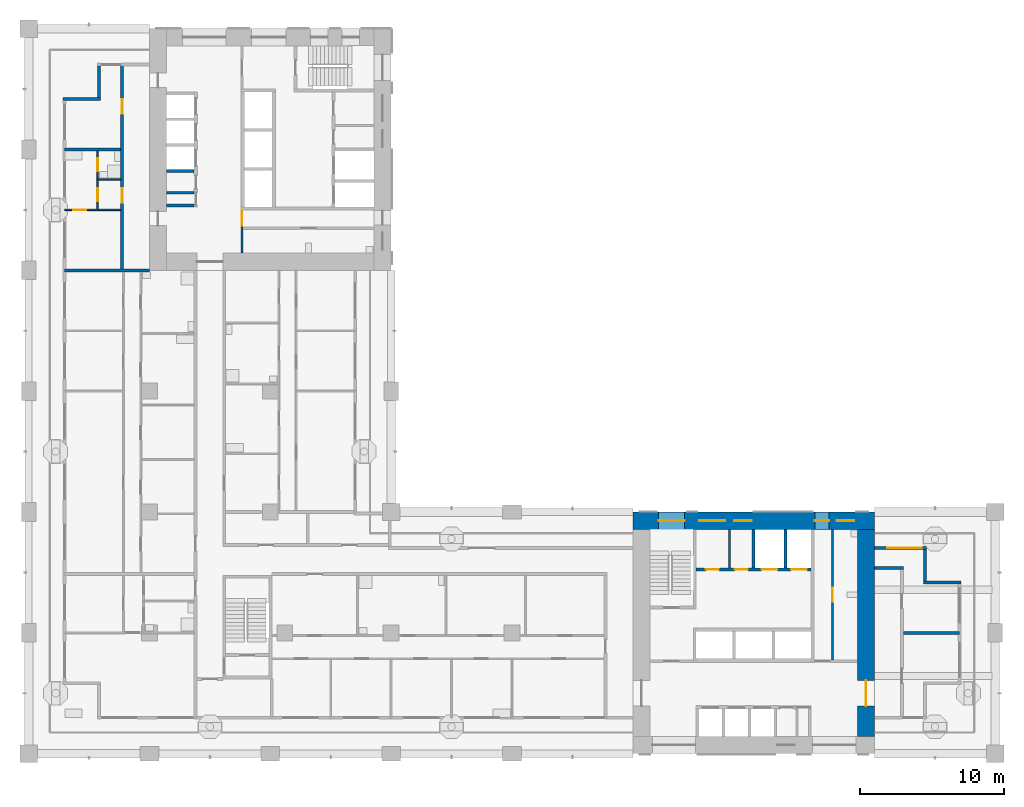
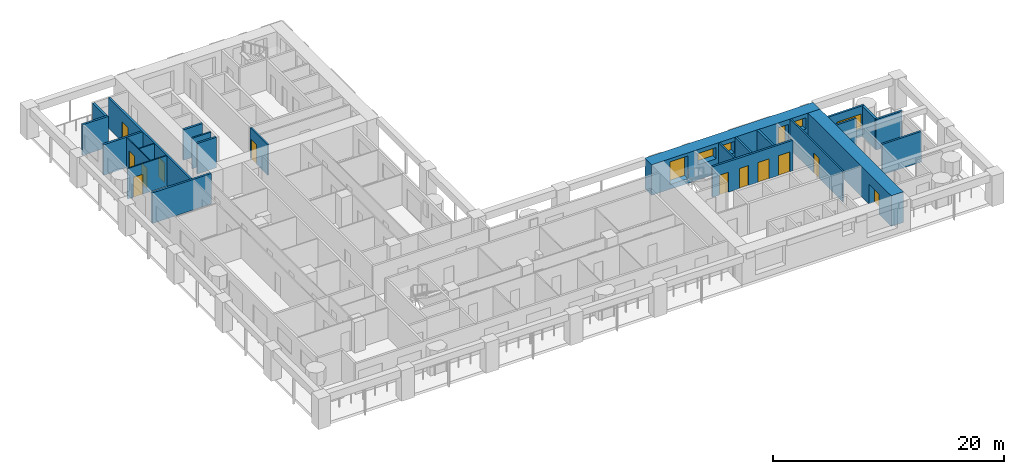
# One storey, part 6 of 18: 24 walls, 12 doors, 6 windows, 18 openings.
"""IFC4 building model written with IfcOpenShell, lengths in metres."""

from ifc_helpers import new_model, si_unit, direction, frame, frame_2d, origin, place, context, subcontext, project, spatial, rectangle, extrude, material, layer, layer_set, type_object, element, fill, save


model = new_model("IFC4")

# Units and contexts
model_context = context("Model", 3, precision=1e-05, world=origin(), true_north=direction((0.0, 1.0)))
body_context = subcontext(model_context, "Body", "Model", "MODEL_VIEW")
ifc_project = project(units=[si_unit("LENGTHUNIT", "METRE"), si_unit("AREAUNIT", "SQUARE_METRE"), si_unit("VOLUMEUNIT", "CUBIC_METRE"), si_unit("PLANEANGLEUNIT", "RADIAN"), si_unit("MASSUNIT", "GRAM", prefix="KILO")], contexts=[model_context])

# Site, building, storey
site_placement = place(None, origin())
site = spatial("IfcSite", under=ifc_project, at=site_placement, CompositionType="ELEMENT")
building_placement = place(site_placement, origin())
building = spatial("IfcBuilding", under=site, at=building_placement, Name="Vermilion Gate Residences", CompositionType="ELEMENT")
storey_placement = place(building_placement, frame((0.0, 0.0, 102.199951171875)))
storey = spatial("IfcBuildingStorey", under=building, at=storey_placement, Name="L25", CompositionType="ELEMENT", Elevation=102.199951171875)

# Wall
ifc_material_1 = material(Name="Masonry blockwork", Category="masonry")
ifc_layer_1 = layer(ifc_material_1, 0.14990234375)
ifc_layer_set_1 = layer_set([ifc_layer_1], Name="BLOCKWORK PARTITION 150 EI 120")
wall_type_1 = type_object("IfcWallType", Name="BLOCKWORK PARTITION 150 EI 120", PredefinedType="PARTITIONING", material=ifc_layer_set_1)
wall_1_placement = place(storey_placement, frame((48.72509765625, 21.300048828125, 0.0), z_axis=(0.0, 0.0, 1.0), x_axis=(0.0, 1.0, 0.0)))
element("IfcWall", 1, at=wall_1_placement, inside=storey, type_object=wall_type_1, Name="Core room partition A25-NR-P0", PredefinedType="PARTITIONING", context=body_context, shape_type="SweptSolid", body=[
    extrude(rectangle(XDim=2.699951171875, YDim=0.14990234375, at=frame_2d((1.35009765625, 0.0))), origin(), (0.0, 0.0, 1.0), 3.219970703125),
])

# Wall, opening, door
wall_2_placement = place(storey_placement, frame((55.875, 14.89990234375, 0.0), z_axis=(0.0, 0.0, 1.0), x_axis=(0.0, 1.0, 0.0)))
wall_2 = element("IfcWall", 2, at=wall_2_placement, inside=storey, type_object=wall_type_1, Name="Core room partition A25-ES-W", PredefinedType="PARTITIONING", context=body_context, shape_type="SweptSolid", body=[
    extrude(rectangle(XDim=9.10009765625, YDim=0.14990234375, at=frame_2d((4.550048828125, 0.0))), origin(), (0.0, 0.0, 1.0), 3.219970703125),
])
opening_1_placement = place(wall_2_placement, frame((4.050048828125, 0.0, 0.0)))
opening_1 = element("IfcOpeningElement", 3, at=opening_1_placement, cuts=wall_2, Name="Opening DK25015", PredefinedType="OPENING", context=body_context, shape_type="SweptSolid", body=[
    extrude(rectangle(XDim=1.0, YDim=2.10009765625, at=frame_2d((0.5, 1.050048828125))), frame((0.0, 0.0849609375, 0.0), z_axis=(0.0, -1.0, 0.0), x_axis=(1.0, 0.0, 0.0)), (0.0, 0.0, 1.0), 0.169921875),
])
ifc_material_2 = material(Name="Steel", Category="steel")
door_type_1 = type_object("IfcDoorType", Name="FIRE DOOR FD60 1000 X 2100", OperationType="SINGLE_SWING_LEFT", PredefinedType="DOOR", material=ifc_material_2)
door_1_placement = place(opening_1_placement, frame((1.0, 0.0, 0.0), z_axis=(0.0, 0.0, 1.0), x_axis=(-1.0, 0.0, 0.0)))
door_1 = element("IfcDoor", 4, at=door_1_placement, inside=storey, type_object=door_type_1, Name="Accessible WC A25", OperationType="SINGLE_SWING_RIGHT", OverallHeight=2.10009765625, OverallWidth=1.0, PredefinedType="DOOR", context=body_context, shape_type="SweptSolid", body=[
    extrude(rectangle(XDim=1.0, YDim=2.10009765625, at=frame_2d((0.5, 1.050048828125))), frame((0.0, 0.02490234375, 0.0), z_axis=(0.0, -1.0, 0.0), x_axis=(1.0, 0.0, 0.0)), (0.0, 0.0, 1.0), 0.050048828125),
])
fill(opening_1, door_1)

# Wall
wall_3_placement = place(storey_placement, frame((9.60009765625, 47.392578125, 0.0), z_axis=(0.0, 0.0, 1.0), x_axis=(1.0, 0.0, 0.0)))
element("IfcWall", 5, at=wall_3_placement, inside=storey, type_object=wall_type_1, Name="Core room partition B25-SR-P0", PredefinedType="PARTITIONING", context=body_context, shape_type="SweptSolid", body=[
    extrude(rectangle(XDim=1.89990234375, YDim=0.14990234375, at=frame_2d((0.949951171875, 0.0))), origin(), (0.0, 0.0, 1.0), 3.219970703125),
])

# Wall, opening, door
wall_4_placement = place(storey_placement, frame((14.824951171875, 46.199951171875, 0.0), z_axis=(0.0, 0.0, 1.0), x_axis=(0.0, -1.0, 0.0)))
wall_4 = element("IfcWall", 6, at=wall_4_placement, inside=storey, type_object=wall_type_1, Name="Core room partition B25-ES-S", PredefinedType="PARTITIONING", context=body_context, shape_type="SweptSolid", body=[
    extrude(rectangle(XDim=3.0, YDim=0.14990234375, at=frame_2d((1.5, 0.0))), origin(), (0.0, 0.0, 1.0), 3.219970703125),
])
opening_2_placement = place(wall_4_placement, frame((0.10009765625, 0.0, 0.0)))
opening_2 = element("IfcOpeningElement", 7, at=opening_2_placement, cuts=wall_4, Name="Opening DK25115", PredefinedType="OPENING", context=body_context, shape_type="SweptSolid", body=[
    extrude(rectangle(XDim=1.0, YDim=2.10009765625, at=frame_2d((0.5, 1.050048828125))), frame((0.0, 0.0849609375, 0.0), z_axis=(0.0, -1.0, 0.0), x_axis=(1.0, 0.0, 0.0)), (0.0, 0.0, 1.0), 0.169921875),
])
door_2_placement = place(opening_2_placement, frame((1.0, 0.0, 0.0), z_axis=(0.0, 0.0, 1.0), x_axis=(-1.0, 0.0, 0.0)))
door_2 = element("IfcDoor", 8, at=door_2_placement, inside=storey, type_object=door_type_1, Name="Service corridor door B25", OperationType="SINGLE_SWING_LEFT", OverallHeight=2.10009765625, OverallWidth=1.0, PredefinedType="DOOR", context=body_context, shape_type="SweptSolid", body=[
    extrude(rectangle(XDim=1.0, YDim=2.10009765625, at=frame_2d((0.5, 1.050048828125))), frame((0.0, 0.02490234375, 0.0), z_axis=(0.0, -1.0, 0.0), x_axis=(1.0, 0.0, 0.0)), (0.0, 0.0, 1.0), 0.050048828125),
])
fill(opening_2, door_2)

# Walls
ifc_material_3 = material(Name="Insulated steel stud wall with terracotta rainscreen", Category="masonry")
ifc_layer_2 = layer(ifc_material_3, 0.199951171875)
ifc_layer_set_2 = layer_set([ifc_layer_2], Name="EXTERNAL WALL 200 TERRACOTTA RAINSCREEN")
wall_type_2 = type_object("IfcWallType", Name="EXTERNAL WALL 200 TERRACOTTA RAINSCREEN", PredefinedType="SOLIDWALL", material=ifc_layer_set_2)
wall_5_placement = place(storey_placement, frame((4.89990234375, 56.199951171875, 0.0), z_axis=(0.0, 0.0, 1.0), x_axis=(0.0, -1.0, 0.0)))
element("IfcWall", 9, at=wall_5_placement, inside=storey, type_object=wall_type_2, Name="External wall", PredefinedType="SOLIDWALL", context=body_context, shape_type="SweptSolid", body=[
    extrude(rectangle(XDim=2.199951171875, YDim=0.199951171875, at=frame_2d((1.10009765625, 0.0))), origin(), (0.0, 0.0, 1.0), 3.219970703125),
])
for number, where, z_axis, x_axis, name in (
    (10, (5.0, 53.89990234375, 0.0), (0.0, 0.0, 1.0), (-1.0, 0.0, 0.0), "External wall"),
    (11, (64.800048828125, 20.300048828125, 0.0), (0.0, 0.0, 1.0), (-1.0, 0.0, 0.0), "External wall"),
):
    element("IfcWall", number, at=place(storey_placement, frame(where, z_axis=z_axis, x_axis=x_axis)), inside=storey, type_object=wall_type_2, Name=name, PredefinedType="SOLIDWALL", context=body_context, shape_type="SweptSolid", body=[
        extrude(rectangle(XDim=2.60009765625, YDim=0.199951171875, at=frame_2d((1.300048828125, 0.0))), origin(), (0.0, 0.0, 1.0), 3.219970703125),
    ])
wall_6_placement = place(storey_placement, frame((62.300048828125, 20.39990234375, 0.0), z_axis=(0.0, 0.0, 1.0), x_axis=(0.0, 1.0, 0.0)))
element("IfcWall", 12, at=wall_6_placement, inside=storey, type_object=wall_type_2, Name="External wall", PredefinedType="SOLIDWALL", context=body_context, shape_type="SweptSolid", body=[
    extrude(rectangle(XDim=2.2001953125, YDim=0.199951171875, at=frame_2d((1.10009765625, 0.0))), origin(), (0.0, 0.0, 1.0), 3.219970703125),
])

# Wall, opening, window
wall_7_placement = place(storey_placement, frame((62.39990234375, 22.699951171875, 0.0), z_axis=(0.0, 0.0, 1.0), x_axis=(-1.0, 0.0, 0.0)))
wall_7 = element("IfcWall", 13, at=wall_7_placement, inside=storey, type_object=wall_type_2, Name="External wall", PredefinedType="SOLIDWALL", context=body_context, shape_type="SweptSolid", body=[
    extrude(rectangle(XDim=3.599853515625, YDim=0.199951171875, at=frame_2d((1.7998046875, 0.0))), origin(), (0.0, 0.0, 1.0), 3.219970703125),
])
opening_3_placement = place(wall_7_placement, frame((0.300048828125, 0.0, 0.89990234375)))
opening_3 = element("IfcOpeningElement", 14, at=opening_3_placement, cuts=wall_7, Name="Opening WE25023", PredefinedType="OPENING", context=body_context, shape_type="SweptSolid", body=[
    extrude(rectangle(XDim=2.39990234375, YDim=1.5, at=frame_2d((1.199951171875, 0.75))), frame((0.0, 0.10986328125, 0.0), z_axis=(0.0, -1.0, 0.0), x_axis=(1.0, 0.0, 0.0)), (0.0, 0.0, 1.0), 0.219970703125),
])
ifc_material_4 = material(Name="Aluminium and clear glass", Category="aluminium")
window_type_1 = type_object("IfcWindowType", Name="WINDOW 2400 X 1500", PartitioningType="SINGLE_PANEL", PredefinedType="WINDOW", material=ifc_material_4)
window_1_placement = place(opening_3_placement, origin())
window_1 = element("IfcWindow", 15, at=window_1_placement, inside=storey, type_object=window_type_1, Name="Window", OverallHeight=1.5, OverallWidth=2.39990234375, PartitioningType="SINGLE_PANEL", PredefinedType="WINDOW", context=body_context, shape_type="SweptSolid", body=[
    extrude(rectangle(XDim=2.39990234375, YDim=1.5, at=frame_2d((1.199951171875, 0.75))), frame((0.0, 0.030029296875, 0.0), z_axis=(0.0, -1.0, 0.0), x_axis=(1.0, 0.0, 0.0)), (0.0, 0.0, 1.0), 0.06005859375),
])
fill(opening_3, window_1)

# Wall, opening, door
ifc_material_5 = material(Name="Plasterboard on steel studs", Category="steel")
ifc_layer_3 = layer(ifc_material_5, 0.10009765625)
ifc_layer_set_3 = layer_set([ifc_layer_3], Name="PARTITION 100")
wall_type_3 = type_object("IfcWallType", Name="PARTITION 100", PredefinedType="PARTITIONING", material=ifc_layer_set_3)
wall_8_placement = place(storey_placement, frame((2.5, 46.199951171875, 0.0), z_axis=(0.0, 0.0, 1.0), x_axis=(1.0, 0.0, 0.0)))
wall_8 = element("IfcWall", 16, at=wall_8_placement, inside=storey, type_object=wall_type_3, Name="Partition", PredefinedType="PARTITIONING", context=body_context, shape_type="SweptSolid", body=[
    extrude(rectangle(XDim=3.89990234375, YDim=0.10009765625, at=frame_2d((1.949951171875, 0.0))), origin(), (0.0, 0.0, 1.0), 3.219970703125),
])
opening_4_placement = place(wall_8_placement, frame((0.60009765625, 0.0, 0.0)))
opening_4 = element("IfcOpeningElement", 17, at=opening_4_placement, cuts=wall_8, Name="Opening DA25015", PredefinedType="OPENING", context=body_context, shape_type="SweptSolid", body=[
    extrude(rectangle(XDim=0.89990234375, YDim=2.10009765625, at=frame_2d((0.449951171875, 1.050048828125))), frame((0.0, 0.06005859375, 0.0), z_axis=(0.0, -1.0, 0.0), x_axis=(1.0, 0.0, 0.0)), (0.0, 0.0, 1.0), 0.1201171875),
])
ifc_material_6 = material(Name="Timber", Category="wood")
door_type_2 = type_object("IfcDoorType", Name="INTERIOR DOOR 900 X 2100", OperationType="SINGLE_SWING_LEFT", PredefinedType="DOOR", material=ifc_material_6)
door_3_placement = place(opening_4_placement, origin())
door_3 = element("IfcDoor", 18, at=door_3_placement, inside=storey, type_object=door_type_2, Name="Interior door", OperationType="SINGLE_SWING_LEFT", OverallHeight=2.10009765625, OverallWidth=0.89990234375, PredefinedType="DOOR", context=body_context, shape_type="SweptSolid", body=[
    extrude(rectangle(XDim=0.89990234375, YDim=2.10009765625, at=frame_2d((0.449951171875, 1.050048828125))), frame((0.0, 0.02490234375, 0.0), z_axis=(0.0, -1.0, 0.0), x_axis=(1.0, 0.0, 0.0)), (0.0, 0.0, 1.0), 0.050048828125),
])
fill(opening_4, door_3)

# Wall
wall_9_placement = place(storey_placement, frame((4.85009765625, 48.300048828125, 0.0), z_axis=(0.0, 0.0, 1.0), x_axis=(1.0, 0.0, 0.0)))
element("IfcWall", 19, at=wall_9_placement, inside=storey, type_object=wall_type_3, Name="Partition", PredefinedType="PARTITIONING", context=body_context, shape_type="SweptSolid", body=[
    extrude(rectangle(XDim=1.5498046875, YDim=0.10009765625, at=frame_2d((0.77490234375, 0.0))), origin(), (0.0, 0.0, 1.0), 3.219970703125),
])

# Wall, openings, doors
wall_10_placement = place(storey_placement, frame((4.800048828125, 46.25, 0.0), z_axis=(0.0, 0.0, 1.0), x_axis=(0.0, 1.0, 0.0)))
wall_10 = element("IfcWall", 20, at=wall_10_placement, inside=storey, type_object=wall_type_3, Name="Partition", PredefinedType="PARTITIONING", context=body_context, shape_type="SweptSolid", body=[
    extrude(rectangle(XDim=4.050048828125, YDim=0.10009765625, at=frame_2d((2.02490234375, 0.0))), origin(), (0.0, 0.0, 1.0), 3.219970703125),
])
opening_5_placement = place(wall_10_placement, frame((0.550048828125, 0.0, 0.0)))
opening_5 = element("IfcOpeningElement", 21, at=opening_5_placement, cuts=wall_10, Name="Opening DA25016", PredefinedType="OPENING", context=body_context, shape_type="SweptSolid", body=[
    extrude(rectangle(XDim=0.89990234375, YDim=2.10009765625, at=frame_2d((0.449951171875, 1.050048828125))), frame((0.0, 0.06005859375, 0.0), z_axis=(0.0, -1.0, 0.0), x_axis=(1.0, 0.0, 0.0)), (0.0, 0.0, 1.0), 0.1201171875),
])
opening_6_placement = place(wall_10_placement, frame((2.64990234375, 0.0, 0.0)))
opening_6 = element("IfcOpeningElement", 22, at=opening_6_placement, cuts=wall_10, Name="Opening DA25017", PredefinedType="OPENING", context=body_context, shape_type="SweptSolid", body=[
    extrude(rectangle(XDim=0.89990234375, YDim=2.10009765625, at=frame_2d((0.449951171875, 1.050048828125))), frame((0.0, 0.06005859375, 0.0), z_axis=(0.0, -1.0, 0.0), x_axis=(1.0, 0.0, 0.0)), (0.0, 0.0, 1.0), 0.1201171875),
])
door_4_placement = place(opening_5_placement, origin())
door_4 = element("IfcDoor", 23, at=door_4_placement, inside=storey, type_object=door_type_2, Name="Interior door", OperationType="SINGLE_SWING_LEFT", OverallHeight=2.10009765625, OverallWidth=0.89990234375, PredefinedType="DOOR", context=body_context, shape_type="SweptSolid", body=[
    extrude(rectangle(XDim=0.89990234375, YDim=2.10009765625, at=frame_2d((0.449951171875, 1.050048828125))), frame((0.0, 0.02490234375, 0.0), z_axis=(0.0, -1.0, 0.0), x_axis=(1.0, 0.0, 0.0)), (0.0, 0.0, 1.0), 0.050048828125),
])
fill(opening_5, door_4)
door_5_placement = place(opening_6_placement, frame((0.89990234375, 0.0, 0.0), z_axis=(0.0, 0.0, 1.0), x_axis=(-1.0, 0.0, 0.0)))
door_5 = element("IfcDoor", 24, at=door_5_placement, inside=storey, type_object=door_type_2, Name="Interior door", OperationType="SINGLE_SWING_RIGHT", OverallHeight=2.10009765625, OverallWidth=0.89990234375, PredefinedType="DOOR", context=body_context, shape_type="SweptSolid", body=[
    extrude(rectangle(XDim=0.89990234375, YDim=2.10009765625, at=frame_2d((0.449951171875, 1.050048828125))), frame((0.0, 0.02490234375, 0.0), z_axis=(0.0, -1.0, 0.0), x_axis=(1.0, 0.0, 0.0)), (0.0, 0.0, 1.0), 0.050048828125),
])
fill(opening_6, door_5)

# Walls
ifc_material_7 = material(Name="Fire-rated plasterboard on steel studs", Category="steel")
ifc_layer_4 = layer(ifc_material_7, 0.199951171875)
ifc_layer_set_4 = layer_set([ifc_layer_4], Name="PARTY WALL 200 EI 120")
wall_type_4 = type_object("IfcWallType", Name="PARTY WALL 200 EI 120", PredefinedType="PARTITIONING", material=ifc_layer_set_4)
wall_11_placement = place(storey_placement, frame((60.800048828125, 16.800048828125, 0.0), z_axis=(0.0, 0.0, 1.0), x_axis=(1.0, 0.0, 0.0)))
element("IfcWall", 25, at=wall_11_placement, inside=storey, type_object=wall_type_4, Name="Party and corridor wall", PredefinedType="PARTITIONING", context=body_context, shape_type="SweptSolid", body=[
    extrude(rectangle(XDim=3.89990234375, YDim=0.199951171875, at=frame_2d((1.949951171875, 0.0))), origin(), (0.0, 0.0, 1.0), 3.219970703125),
])
wall_12_placement = place(storey_placement, frame((58.800048828125, 21.300048828125, 0.0), z_axis=(0.0, 0.0, 1.0), x_axis=(1.0, 0.0, 0.0)))
element("IfcWall", 26, at=wall_12_placement, inside=storey, type_object=wall_type_4, Name="Party and corridor wall", PredefinedType="PARTITIONING", context=body_context, shape_type="SweptSolid", body=[
    extrude(rectangle(XDim=2.0, YDim=0.199951171875, at=frame_2d((1.0, 0.0))), origin(), (0.0, 0.0, 1.0), 3.219970703125),
])
wall_13_placement = place(storey_placement, frame((2.5, 42.0, 0.0), z_axis=(0.0, 0.0, 1.0), x_axis=(1.0, 0.0, 0.0)))
element("IfcWall", 27, at=wall_13_placement, inside=storey, type_object=wall_type_4, Name="Party and corridor wall", PredefinedType="PARTITIONING", context=body_context, shape_type="SweptSolid", body=[
    extrude(rectangle(XDim=5.89990234375, YDim=0.199951171875, at=frame_2d((2.949951171875, 0.0))), origin(), (0.0, 0.0, 1.0), 3.219970703125),
])
wall_14_placement = place(storey_placement, frame((2.5, 50.39990234375, 0.0), z_axis=(0.0, 0.0, 1.0), x_axis=(1.0, 0.0, 0.0)))
element("IfcWall", 28, at=wall_14_placement, inside=storey, type_object=wall_type_4, Name="Party and corridor wall", PredefinedType="PARTITIONING", context=body_context, shape_type="SweptSolid", body=[
    extrude(rectangle(XDim=3.89990234375, YDim=0.199951171875, at=frame_2d((1.949951171875, 0.0))), origin(), (0.0, 0.0, 1.0), 3.219970703125),
])

# Wall, openings, doors
wall_15_placement = place(storey_placement, frame((6.5, 42.10009765625, 0.0), z_axis=(0.0, 0.0, 1.0), x_axis=(0.0, 1.0, 0.0)))
wall_15 = element("IfcWall", 29, at=wall_15_placement, inside=storey, type_object=wall_type_4, Name="Party and corridor wall", PredefinedType="PARTITIONING", context=body_context, shape_type="SweptSolid", body=[
    extrude(rectangle(XDim=14.199951171875, YDim=0.199951171875, at=frame_2d((7.10009765625, 0.0))), origin(), (0.0, 0.0, 1.0), 3.219970703125),
])
opening_7_placement = place(wall_15_placement, frame((4.60009765625, 0.0, 0.0)))
opening_7 = element("IfcOpeningElement", 30, at=opening_7_placement, cuts=wall_15, Name="Opening DA25018", PredefinedType="OPENING", context=body_context, shape_type="SweptSolid", body=[
    extrude(rectangle(XDim=1.0, YDim=2.10009765625, at=frame_2d((0.5, 1.050048828125))), frame((0.0, 0.10986328125, 0.0), z_axis=(0.0, -1.0, 0.0), x_axis=(1.0, 0.0, 0.0)), (0.0, 0.0, 1.0), 0.219970703125),
])
opening_8_placement = place(wall_15_placement, frame((10.800048828125, 0.0, 0.0)))
opening_8 = element("IfcOpeningElement", 31, at=opening_8_placement, cuts=wall_15, Name="Opening DA25019", PredefinedType="OPENING", context=body_context, shape_type="SweptSolid", body=[
    extrude(rectangle(XDim=1.0, YDim=2.10009765625, at=frame_2d((0.5, 1.050048828125))), frame((0.0, 0.10986328125, 0.0), z_axis=(0.0, -1.0, 0.0), x_axis=(1.0, 0.0, 0.0)), (0.0, 0.0, 1.0), 0.219970703125),
])
ifc_material_8 = material(Name="Steel", Category="steel")
door_type_3 = type_object("IfcDoorType", Name="ENTRANCE DOOR 1000 X 2100 FD30", OperationType="SINGLE_SWING_LEFT", PredefinedType="DOOR", material=ifc_material_8)
door_6_placement = place(opening_7_placement, origin())
door_6 = element("IfcDoor", 32, at=door_6_placement, inside=storey, type_object=door_type_3, Name="Entrance door", OperationType="SINGLE_SWING_LEFT", OverallHeight=2.10009765625, OverallWidth=1.0, PredefinedType="DOOR", context=body_context, shape_type="SweptSolid", body=[
    extrude(rectangle(XDim=1.0, YDim=2.10009765625, at=frame_2d((0.5, 1.050048828125))), frame((0.0, 0.02490234375, 0.0), z_axis=(0.0, -1.0, 0.0), x_axis=(1.0, 0.0, 0.0)), (0.0, 0.0, 1.0), 0.050048828125),
])
fill(opening_7, door_6)
door_7_placement = place(opening_8_placement, origin())
door_7 = element("IfcDoor", 33, at=door_7_placement, inside=storey, type_object=door_type_3, Name="Entrance door", OperationType="SINGLE_SWING_RIGHT", OverallHeight=2.10009765625, OverallWidth=1.0, PredefinedType="DOOR", context=body_context, shape_type="SweptSolid", body=[
    extrude(rectangle(XDim=1.0, YDim=2.10009765625, at=frame_2d((0.5, 1.050048828125))), frame((0.0, 0.02490234375, 0.0), z_axis=(0.0, -1.0, 0.0), x_axis=(1.0, 0.0, 0.0)), (0.0, 0.0, 1.0), 0.050048828125),
])
fill(opening_8, door_7)

# Walls
ifc_material_9 = material(Name="Concrete C60", Category="concrete")
ifc_layer_5 = layer(ifc_material_9, 0.199951171875)
ifc_layer_set_5 = layer_set([ifc_layer_5], Name="RC CORE INTERNAL WALL 200 C60")
wall_type_5 = type_object("IfcWallType", Name="RC CORE INTERNAL WALL 200 C60", PredefinedType="SHEAR", material=ifc_layer_set_5)
for number, where, z_axis, x_axis, name in (
    (34, (50.39990234375, 21.300048828125, 0.0), (0.0, 0.0, 1.0), (0.0, 1.0, 0.0), "Core internal wall A25-FF-D0"),
    (35, (52.60009765625, 21.300048828125, 0.0), (0.0, 0.0, 1.0), (0.0, 1.0, 0.0), "Core internal wall A25-FF-D1"),
):
    element("IfcWall", number, at=place(storey_placement, frame(where, z_axis=z_axis, x_axis=x_axis)), inside=storey, type_object=wall_type_5, Name=name, PredefinedType="SHEAR", context=body_context, shape_type="SweptSolid", body=[
        extrude(rectangle(XDim=2.699951171875, YDim=0.199951171875, at=frame_2d((1.35009765625, 0.0))), origin(), (0.0, 0.0, 1.0), 3.219970703125),
    ])

# Wall, openings, doors
wall_16_placement = place(storey_placement, frame((46.39990234375, 21.199951171875, 0.0), z_axis=(0.0, 0.0, 1.0), x_axis=(1.0, 0.0, 0.0)))
wall_16 = element("IfcWall", 36, at=wall_16_placement, inside=storey, type_object=wall_type_5, Name="Core internal wall A25-FF-F", PredefinedType="SHEAR", context=body_context, shape_type="SweptSolid", body=[
    extrude(rectangle(XDim=8.0, YDim=0.199951171875, at=frame_2d((4.0, 0.0))), origin(), (0.0, 0.0, 1.0), 3.219970703125),
])
opening_9_placement = place(wall_16_placement, frame((0.675048828125, 0.0, 0.0)))
opening_9 = element("IfcOpeningElement", 37, at=opening_9_placement, cuts=wall_16, Name="Opening DK25008", PredefinedType="OPENING", context=body_context, shape_type="SweptSolid", body=[
    extrude(rectangle(XDim=0.89990234375, YDim=2.10009765625, at=frame_2d((0.449951171875, 1.050048828125))), frame((0.0, 0.10986328125, 0.0), z_axis=(0.0, -1.0, 0.0), x_axis=(1.0, 0.0, 0.0)), (0.0, 0.0, 1.0), 0.219970703125),
])
opening_10_placement = place(wall_16_placement, frame((2.699951171875, 0.0, 0.0)))
opening_10 = element("IfcOpeningElement", 38, at=opening_10_placement, cuts=wall_16, Name="Opening DK25009", PredefinedType="OPENING", context=body_context, shape_type="SweptSolid", body=[
    extrude(rectangle(XDim=0.89990234375, YDim=2.10009765625, at=frame_2d((0.449951171875, 1.050048828125))), frame((0.0, 0.10986328125, 0.0), z_axis=(0.0, -1.0, 0.0), x_axis=(1.0, 0.0, 0.0)), (0.0, 0.0, 1.0), 0.219970703125),
])
opening_11_placement = place(wall_16_placement, frame((4.550048828125, 0.0, 0.0)))
opening_11 = element("IfcOpeningElement", 39, at=opening_11_placement, cuts=wall_16, Name="Opening LD", PredefinedType="OPENING", context=body_context, shape_type="SweptSolid", body=[
    extrude(rectangle(XDim=1.10009765625, YDim=2.10009765625, at=frame_2d((0.550048828125, 1.050048828125))), frame((0.0, 0.10986328125, 0.0), z_axis=(0.0, -1.0, 0.0), x_axis=(1.0, 0.0, 0.0)), (0.0, 0.0, 1.0), 0.219970703125),
])
opening_12_placement = place(wall_16_placement, frame((6.60009765625, 0.0, 0.0)))
opening_12 = element("IfcOpeningElement", 40, at=opening_12_placement, cuts=wall_16, Name="Opening LD", PredefinedType="OPENING", context=body_context, shape_type="SweptSolid", body=[
    extrude(rectangle(XDim=1.10009765625, YDim=2.10009765625, at=frame_2d((0.550048828125, 1.050048828125))), frame((0.0, 0.10986328125, 0.0), z_axis=(0.0, -1.0, 0.0), x_axis=(1.0, 0.0, 0.0)), (0.0, 0.0, 1.0), 0.219970703125),
])
ifc_material_10 = material(Name="Stainless steel", Category="steel")
door_type_4 = type_object("IfcDoorType", Name="LIFT LANDING DOOR E60 1100 X 2100", OperationType="DOUBLE_DOOR_SLIDING", PredefinedType="DOOR", material=ifc_material_10)
door_8_placement = place(opening_11_placement, origin())
door_8 = element("IfcDoor", 41, at=door_8_placement, inside=storey, type_object=door_type_4, Name="Lift landing door LFA1", OperationType="DOUBLE_DOOR_SLIDING", OverallHeight=2.10009765625, OverallWidth=1.10009765625, PredefinedType="DOOR", context=body_context, shape_type="SweptSolid", body=[
    extrude(rectangle(XDim=1.10009765625, YDim=2.10009765625, at=frame_2d((0.550048828125, 1.050048828125))), frame((0.0, 0.02490234375, 0.0), z_axis=(0.0, -1.0, 0.0), x_axis=(1.0, 0.0, 0.0)), (0.0, 0.0, 1.0), 0.050048828125),
])
fill(opening_11, door_8)
door_9_placement = place(opening_12_placement, origin())
door_9 = element("IfcDoor", 42, at=door_9_placement, inside=storey, type_object=door_type_4, Name="Lift landing door LCA1", OperationType="DOUBLE_DOOR_SLIDING", OverallHeight=2.10009765625, OverallWidth=1.10009765625, PredefinedType="DOOR", context=body_context, shape_type="SweptSolid", body=[
    extrude(rectangle(XDim=1.10009765625, YDim=2.10009765625, at=frame_2d((0.550048828125, 1.050048828125))), frame((0.0, 0.02490234375, 0.0), z_axis=(0.0, -1.0, 0.0), x_axis=(1.0, 0.0, 0.0)), (0.0, 0.0, 1.0), 0.050048828125),
])
fill(opening_12, door_9)
ifc_material_11 = material(Name="Steel", Category="steel")
door_type_5 = type_object("IfcDoorType", Name="SERVICE ROOM DOOR FD60 900 X 2100", OperationType="SINGLE_SWING_LEFT", PredefinedType="DOOR", material=ifc_material_11)
door_10_placement = place(opening_9_placement, origin())
door_10 = element("IfcDoor", 43, at=door_10_placement, inside=storey, type_object=door_type_5, Name="Housekeeping store A25", OperationType="SINGLE_SWING_LEFT", OverallHeight=2.10009765625, OverallWidth=0.89990234375, PredefinedType="DOOR", context=body_context, shape_type="SweptSolid", body=[
    extrude(rectangle(XDim=0.89990234375, YDim=2.10009765625, at=frame_2d((0.449951171875, 1.050048828125))), frame((0.0, 0.02490234375, 0.0), z_axis=(0.0, -1.0, 0.0), x_axis=(1.0, 0.0, 0.0)), (0.0, 0.0, 1.0), 0.050048828125),
])
fill(opening_9, door_10)
door_11_placement = place(opening_10_placement, origin())
door_11 = element("IfcDoor", 44, at=door_11_placement, inside=storey, type_object=door_type_5, Name="Mail room A25", OperationType="SINGLE_SWING_LEFT", OverallHeight=2.10009765625, OverallWidth=0.89990234375, PredefinedType="DOOR", context=body_context, shape_type="SweptSolid", body=[
    extrude(rectangle(XDim=0.89990234375, YDim=2.10009765625, at=frame_2d((0.449951171875, 1.050048828125))), frame((0.0, 0.02490234375, 0.0), z_axis=(0.0, -1.0, 0.0), x_axis=(1.0, 0.0, 0.0)), (0.0, 0.0, 1.0), 0.050048828125),
])
fill(opening_10, door_11)

# Walls
for number, where, z_axis, x_axis, name in (
    (45, (9.60009765625, 48.89990234375, 0.0), (0.0, 0.0, 1.0), (1.0, 0.0, 0.0), "Core internal wall B25-LR-D3"),
    (46, (9.60009765625, 46.5, 0.0), (0.0, 0.0, 1.0), (1.0, 0.0, 0.0), "Core internal wall B25-LR-DE"),
):
    element("IfcWall", number, at=place(storey_placement, frame(where, z_axis=z_axis, x_axis=x_axis)), inside=storey, type_object=wall_type_5, Name=name, PredefinedType="SHEAR", context=body_context, shape_type="SweptSolid", body=[
        extrude(rectangle(XDim=1.89990234375, YDim=0.199951171875, at=frame_2d((0.949951171875, 0.0))), origin(), (0.0, 0.0, 1.0), 3.219970703125),
    ])

# Wall, opening, door
ifc_material_12 = material(Name="Concrete C70", Category="concrete")
ifc_layer_6 = layer(ifc_material_12, 1.199951171875)
ifc_layer_set_6 = layer_set([ifc_layer_6], Name="RC CORE WALL 1200 C70")
wall_type_6 = type_object("IfcWallType", Name="RC CORE WALL 1200 C70", PredefinedType="SHEAR", material=ifc_layer_set_6)
wall_17_placement = place(storey_placement, frame((58.199951171875, 9.60009765625, 0.0), z_axis=(0.0, 0.0, 1.0), x_axis=(0.0, 1.0, 0.0)))
wall_17 = element("IfcWall", 47, at=wall_17_placement, inside=storey, type_object=wall_type_6, Name="Core wall A25-OUT-BK", PredefinedType="SHEAR", context=body_context, shape_type="SweptSolid", body=[
    extrude(rectangle(XDim=14.39990234375, YDim=1.199951171875, at=frame_2d((7.199951171875, 0.0))), origin(), (0.0, 0.0, 1.0), 3.219970703125),
])
opening_13_placement = place(wall_17_placement, frame((2.10009765625, 0.0, 0.0)))
opening_13 = element("IfcOpeningElement", 48, at=opening_13_placement, cuts=wall_17, Name="Opening DK25002", PredefinedType="OPENING", context=body_context, shape_type="SweptSolid", body=[
    extrude(rectangle(XDim=1.800048828125, YDim=2.10009765625, at=frame_2d((0.89990234375, 1.050048828125))), frame((0.0, 0.60986328125, 0.0), z_axis=(0.0, -1.0, 0.0), x_axis=(1.0, 0.0, 0.0)), (0.0, 0.0, 1.0), 1.219970703125),
])
ifc_material_13 = material(Name="Steel", Category="steel")
door_type_6 = type_object("IfcDoorType", Name="CORE LOBBY DOOR FD60 1800 X 2100", OperationType="DOUBLE_DOOR_SINGLE_SWING", PredefinedType="DOOR", material=ifc_material_13)
door_12_placement = place(opening_13_placement, origin())
door_12 = element("IfcDoor", 49, at=door_12_placement, inside=storey, type_object=door_type_6, Name="Core lobby door A25", OperationType="DOUBLE_DOOR_SINGLE_SWING", OverallHeight=2.10009765625, OverallWidth=1.800048828125, PredefinedType="DOOR", context=body_context, shape_type="SweptSolid", body=[
    extrude(rectangle(XDim=1.800048828125, YDim=2.10009765625, at=frame_2d((0.89990234375, 1.050048828125))), frame((0.0, 0.02490234375, 0.0), z_axis=(0.0, -1.0, 0.0), x_axis=(1.0, 0.0, 0.0)), (0.0, 0.0, 1.0), 0.050048828125),
])
fill(opening_13, door_12)

# Wall, openings, windows
ifc_material_14 = material(Name="Concrete C70 red-oxide pigmented", Category="concrete")
ifc_layer_7 = layer(ifc_material_14, 1.199951171875)
ifc_layer_set_7 = layer_set([ifc_layer_7], Name="RC CORE WALL 1200 C70 RED OXIDE")
wall_type_7 = type_object("IfcWallType", Name="RC CORE WALL 1200 C70 RED OXIDE", PredefinedType="SHEAR", material=ifc_layer_set_7)
wall_18_placement = place(storey_placement, frame((42.0, 24.60009765625, 0.0), z_axis=(0.0, 0.0, 1.0), x_axis=(1.0, 0.0, 0.0)))
wall_18 = element("IfcWall", 50, at=wall_18_placement, inside=storey, type_object=wall_type_7, Name="Core wall A25-OUT-B1", PredefinedType="SHEAR", context=body_context, shape_type="SweptSolid", body=[
    extrude(rectangle(XDim=16.800048828125, YDim=1.199951171875, at=frame_2d((8.39990234375, 0.0))), origin(), (0.0, 0.0, 1.0), 3.219970703125),
])
opening_14_placement = place(wall_18_placement, frame((1.800048828125, 0.0, 0.5)))
opening_14 = element("IfcOpeningElement", 51, at=opening_14_placement, cuts=wall_18, Name="Opening WKA2504", PredefinedType="OPENING", context=body_context, shape_type="SweptSolid", body=[
    extrude(rectangle(XDim=1.800048828125, YDim=2.39990234375, at=frame_2d((0.89990234375, 1.199951171875))), frame((0.0, 0.60986328125, 0.0), z_axis=(0.0, -1.0, 0.0), x_axis=(1.0, 0.0, 0.0)), (0.0, 0.0, 1.0), 1.219970703125),
])
opening_15_placement = place(wall_18_placement, frame((4.625, 0.0, 1.60009765625)))
opening_15 = element("IfcOpeningElement", 52, at=opening_15_placement, cuts=wall_18, Name="Opening WKA2505", PredefinedType="OPENING", context=body_context, shape_type="SweptSolid", body=[
    extrude(rectangle(XDim=1.800048828125, YDim=1.199951171875, at=frame_2d((0.89990234375, 0.60009765625))), frame((0.0, 0.60986328125, 0.0), z_axis=(0.0, -1.0, 0.0), x_axis=(1.0, 0.0, 0.0)), (0.0, 0.0, 1.0), 1.219970703125),
])
opening_16_placement = place(wall_18_placement, frame((7.050048828125, 0.0, 1.60009765625)))
opening_16 = element("IfcOpeningElement", 53, at=opening_16_placement, cuts=wall_18, Name="Opening WKA2506", PredefinedType="OPENING", context=body_context, shape_type="SweptSolid", body=[
    extrude(rectangle(XDim=1.199951171875, YDim=1.199951171875, at=frame_2d((0.60009765625, 0.60009765625))), frame((0.0, 0.60986328125, 0.0), z_axis=(0.0, -1.0, 0.0), x_axis=(1.0, 0.0, 0.0)), (0.0, 0.0, 1.0), 1.219970703125),
])
opening_17_placement = place(wall_18_placement, frame((12.64990234375, 0.0, 0.60009765625)))
opening_17 = element("IfcOpeningElement", 54, at=opening_17_placement, cuts=wall_18, Name="Opening WKA2507", PredefinedType="OPENING", context=body_context, shape_type="SweptSolid", body=[
    extrude(rectangle(XDim=1.0, YDim=2.10009765625, at=frame_2d((0.5, 1.050048828125))), frame((0.0, 0.60986328125, 0.0), z_axis=(0.0, -1.0, 0.0), x_axis=(1.0, 0.0, 0.0)), (0.0, 0.0, 1.0), 1.219970703125),
])
opening_18_placement = place(wall_18_placement, frame((14.175048828125, 0.0, 1.60009765625)))
opening_18 = element("IfcOpeningElement", 55, at=opening_18_placement, cuts=wall_18, Name="Opening WKA2508", PredefinedType="OPENING", context=body_context, shape_type="SweptSolid", body=[
    extrude(rectangle(XDim=1.199951171875, YDim=1.199951171875, at=frame_2d((0.60009765625, 0.60009765625))), frame((0.0, 0.60986328125, 0.0), z_axis=(0.0, -1.0, 0.0), x_axis=(1.0, 0.0, 0.0)), (0.0, 0.0, 1.0), 1.219970703125),
])
ifc_material_15 = material(Name="Aluminium and clear glass", Category="aluminium")
window_type_2 = type_object("IfcWindowType", Name="CORE CORRIDOR WINDOW 1000 X 2100", PartitioningType="SINGLE_PANEL", PredefinedType="WINDOW", material=ifc_material_15)
window_2_placement = place(opening_17_placement, origin())
window_2 = element("IfcWindow", 56, at=window_2_placement, inside=storey, type_object=window_type_2, Name="Core corridor window", OverallHeight=2.10009765625, OverallWidth=1.0, PartitioningType="SINGLE_PANEL", PredefinedType="WINDOW", context=body_context, shape_type="SweptSolid", body=[
    extrude(rectangle(XDim=1.0, YDim=2.10009765625, at=frame_2d((0.5, 1.050048828125))), frame((0.0, 0.030029296875, 0.0), z_axis=(0.0, -1.0, 0.0), x_axis=(1.0, 0.0, 0.0)), (0.0, 0.0, 1.0), 0.06005859375),
])
fill(opening_17, window_2)
ifc_material_16 = material(Name="Aluminium frame with louvre blades", Category="aluminium")
window_type_3 = type_object("IfcWindowType", Name="CORE LOUVRE 1200 X 1200", PartitioningType="SINGLE_PANEL", PredefinedType="WINDOW", material=ifc_material_16)
window_3_placement = place(opening_16_placement, origin())
window_3 = element("IfcWindow", 57, at=window_3_placement, inside=storey, type_object=window_type_3, Name="Core louvre", OverallHeight=1.199951171875, OverallWidth=1.199951171875, PartitioningType="SINGLE_PANEL", PredefinedType="WINDOW", context=body_context, shape_type="SweptSolid", body=[
    extrude(rectangle(XDim=1.199951171875, YDim=1.199951171875, at=frame_2d((0.60009765625, 0.60009765625))), frame((0.0, 0.030029296875, 0.0), z_axis=(0.0, -1.0, 0.0), x_axis=(1.0, 0.0, 0.0)), (0.0, 0.0, 1.0), 0.06005859375),
])
fill(opening_16, window_3)
window_4_placement = place(opening_18_placement, origin())
window_4 = element("IfcWindow", 58, at=window_4_placement, inside=storey, type_object=window_type_3, Name="Core louvre", OverallHeight=1.199951171875, OverallWidth=1.199951171875, PartitioningType="SINGLE_PANEL", PredefinedType="WINDOW", context=body_context, shape_type="SweptSolid", body=[
    extrude(rectangle(XDim=1.199951171875, YDim=1.199951171875, at=frame_2d((0.60009765625, 0.60009765625))), frame((0.0, 0.030029296875, 0.0), z_axis=(0.0, -1.0, 0.0), x_axis=(1.0, 0.0, 0.0)), (0.0, 0.0, 1.0), 0.06005859375),
])
fill(opening_18, window_4)
ifc_material_17 = material(Name="Aluminium frame with louvre blades", Category="aluminium")
window_type_4 = type_object("IfcWindowType", Name="CORE LOUVRE 1800 X 1200", PartitioningType="SINGLE_PANEL", PredefinedType="WINDOW", material=ifc_material_17)
window_5_placement = place(opening_15_placement, origin())
window_5 = element("IfcWindow", 59, at=window_5_placement, inside=storey, type_object=window_type_4, Name="Core louvre", OverallHeight=1.199951171875, OverallWidth=1.800048828125, PartitioningType="SINGLE_PANEL", PredefinedType="WINDOW", context=body_context, shape_type="SweptSolid", body=[
    extrude(rectangle(XDim=1.800048828125, YDim=1.199951171875, at=frame_2d((0.89990234375, 0.60009765625))), frame((0.0, 0.030029296875, 0.0), z_axis=(0.0, -1.0, 0.0), x_axis=(1.0, 0.0, 0.0)), (0.0, 0.0, 1.0), 0.06005859375),
])
fill(opening_15, window_5)
ifc_material_18 = material(Name="Aluminium and clear glass", Category="aluminium")
window_type_5 = type_object("IfcWindowType", Name="CORE STAIR WINDOW 1800 X 2400", PartitioningType="SINGLE_PANEL", PredefinedType="WINDOW", material=ifc_material_18)
window_6_placement = place(opening_14_placement, origin())
window_6 = element("IfcWindow", 60, at=window_6_placement, inside=storey, type_object=window_type_5, Name="Core stair window", OverallHeight=2.39990234375, OverallWidth=1.800048828125, PartitioningType="SINGLE_PANEL", PredefinedType="WINDOW", context=body_context, shape_type="SweptSolid", body=[
    extrude(rectangle(XDim=1.800048828125, YDim=2.39990234375, at=frame_2d((0.89990234375, 1.199951171875))), frame((0.0, 0.030029296875, 0.0), z_axis=(0.0, -1.0, 0.0), x_axis=(1.0, 0.0, 0.0)), (0.0, 0.0, 1.0), 0.06005859375),
])
fill(opening_14, window_6)

save(model, "model.ifc")
